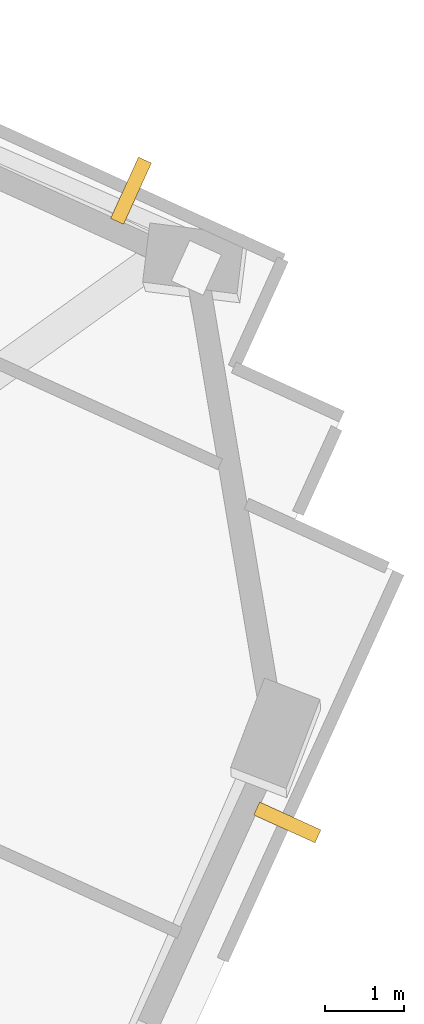
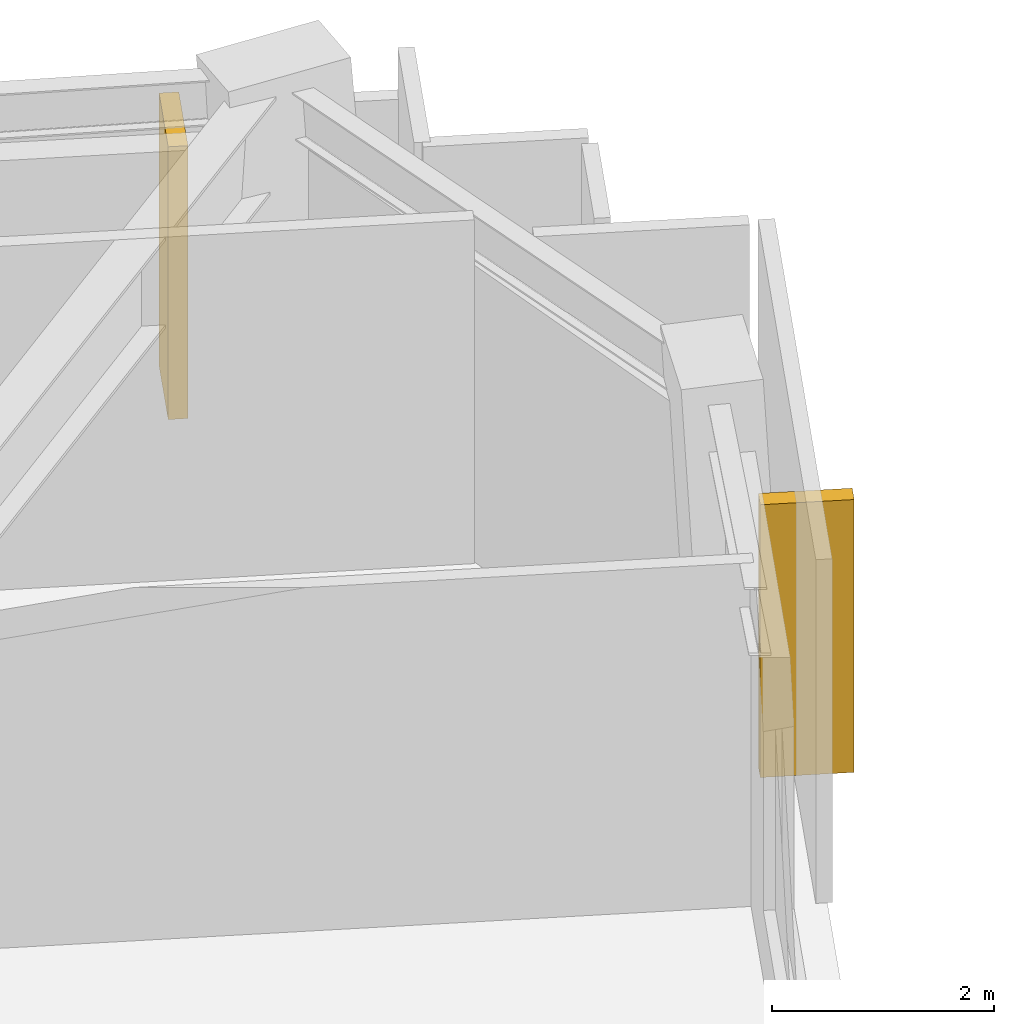
# One storey, part 13 of 13: 2 shading devices.
"""IFC4 building model written with IfcOpenShell, lengths in metres."""

from ifc_helpers import new_model, si_unit, direction, frame, origin, origin_2d, place, context, subcontext, project, spatial, rectangle, extrude, material, type_object, element, save


model = new_model("IFC4")

# Units and contexts
model_context = context("Model", 3, precision=1e-05, world=origin(), true_north=direction((0.0, 1.0)))
body_context = subcontext(model_context, "Body", "Model", "MODEL_VIEW")
ifc_project = project(units=[si_unit("LENGTHUNIT", "METRE"), si_unit("AREAUNIT", "SQUARE_METRE"), si_unit("VOLUMEUNIT", "CUBIC_METRE"), si_unit("PLANEANGLEUNIT", "RADIAN"), si_unit("MASSUNIT", "GRAM", prefix="KILO")], contexts=[model_context])

# Site, building, storey
site_placement = place(None, origin())
site = spatial("IfcSite", under=ifc_project, at=site_placement, CompositionType="ELEMENT")
building_placement = place(site_placement, origin())
building = spatial("IfcBuilding", under=site, at=building_placement, Name="Gaonmaruhae Medical Tower", CompositionType="ELEMENT")
storey_placement = place(building_placement, frame((0.0, 0.0, 304.60009765625)))
storey = spatial("IfcBuildingStorey", under=building, at=storey_placement, Name="L73", CompositionType="ELEMENT", Elevation=304.60009765625)

# Shading devices
ifc_material = material(Name="Pigmented coral precast concrete C45/55", Category="concrete")
shading_device_type = type_object("IfcShadingDeviceType", Name="SD-FIN1 Tower Vertical Coral Precast Shading Fin", PredefinedType="USERDEFINED", material=ifc_material)
for number, where, z_axis, x_axis, name in (
    (1, (58.799560546875, 25.149658203125, 0.13232421875), (0.0, 0.0, 1.0), (-0.413898993841, -0.910322812467, 0.0), "L73 Vertical Coral Precast Shading Fin S05"),
    (2, (56.824951171875, 33.129150390625, 0.13232421875), (0.0, 0.0, 1.0), (0.910322812467, -0.413898993841, 0.0), "L73 Vertical Coral Precast Shading Fin E01B"),
):
    element("IfcShadingDevice", number, at=place(storey_placement, frame(where, z_axis=z_axis, x_axis=x_axis)), inside=storey, type_object=shading_device_type, Name=name, ObjectType="FIN", PredefinedType="USERDEFINED", context=body_context, shape_type="SweptSolid", body=[
        extrude(rectangle(XDim=0.179931640625, YDim=0.85009765625, at=origin_2d()), origin(), (0.0, 0.0, 1.0), 3.0),
    ])

save(model, "model.ifc")
